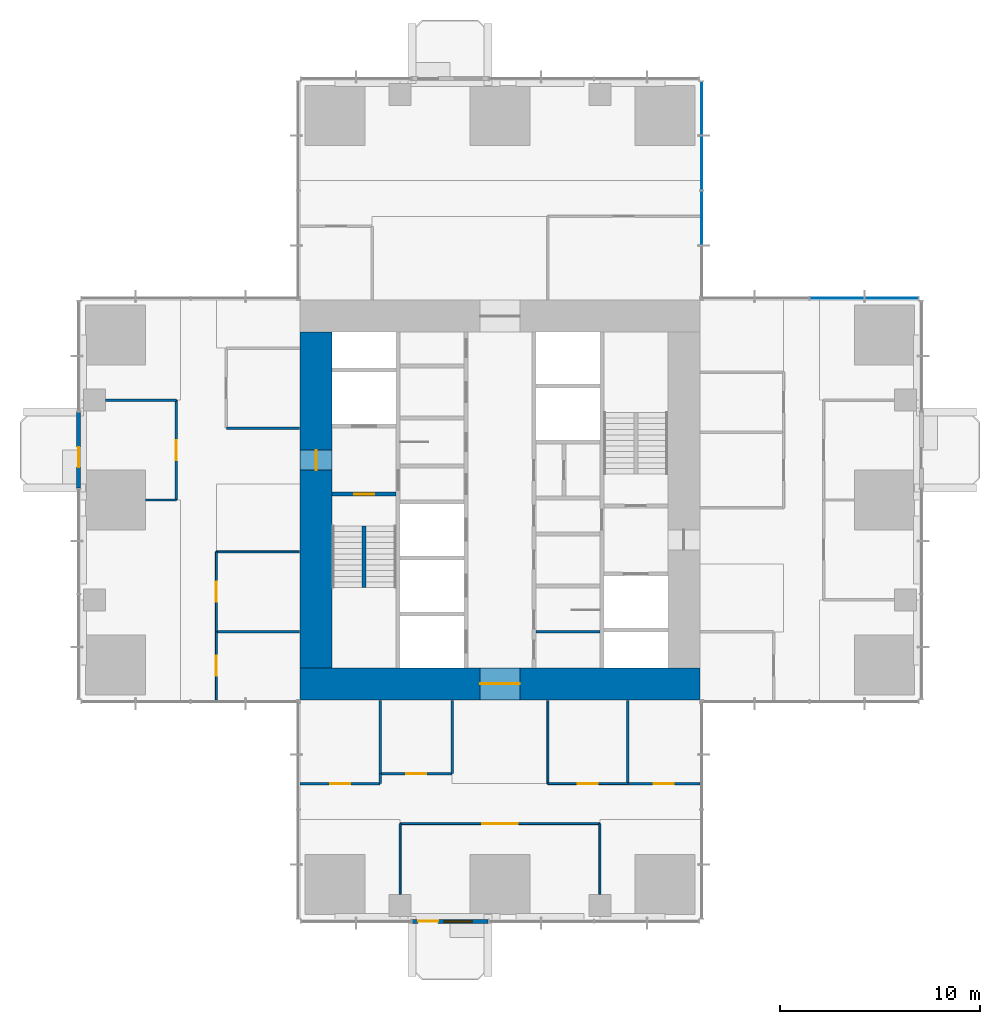
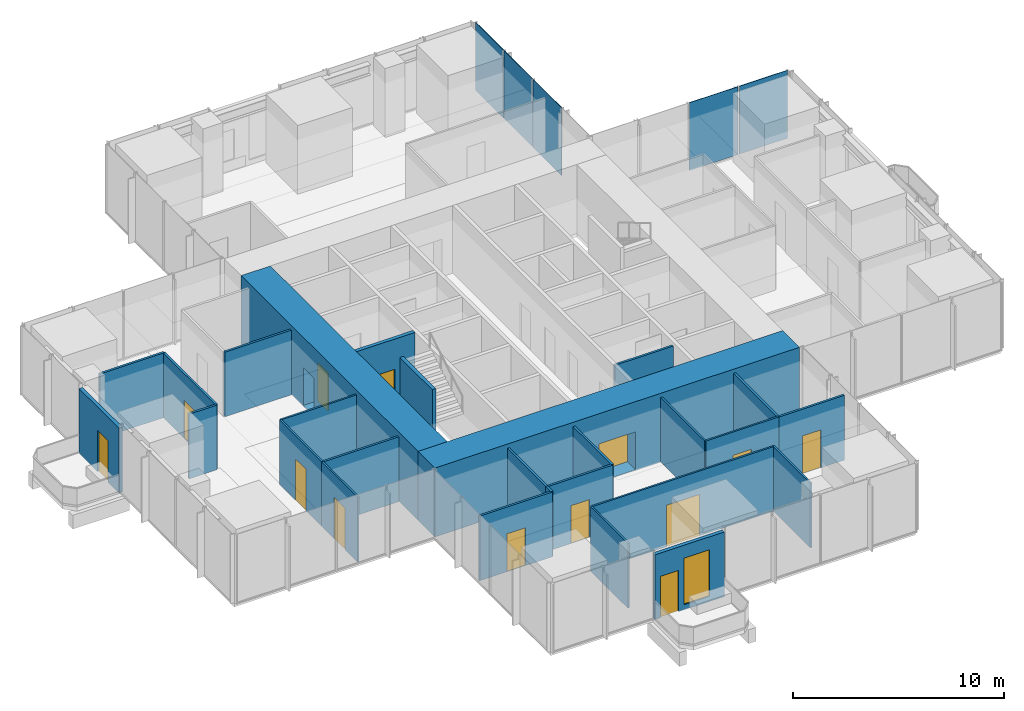
# One storey, part 8 of 13: 27 walls, 13 doors, 5 plates, 1 window, 14 openings, 2 elements without a shape of their own.
"""IFC4 building model written with IfcOpenShell, lengths in metres."""

from ifc_helpers import new_model, si_unit, direction, frame, frame_2d, origin, origin_2d, place, context, subcontext, project, spatial, rectangle, extrude, material, layer, layer_set, type_object, element, fill, aggregate, save


model = new_model("IFC4")

# Units and contexts
model_context = context("Model", 3, precision=1e-05, world=origin(), true_north=direction((0.0, 1.0)))
body_context = subcontext(model_context, "Body", "Model", "MODEL_VIEW")
ifc_project = project(units=[si_unit("LENGTHUNIT", "METRE"), si_unit("AREAUNIT", "SQUARE_METRE"), si_unit("VOLUMEUNIT", "CUBIC_METRE"), si_unit("PLANEANGLEUNIT", "RADIAN"), si_unit("MASSUNIT", "GRAM", prefix="KILO")], contexts=[model_context])

# Site, building, storey
site_placement = place(None, origin())
site = spatial("IfcSite", under=ifc_project, at=site_placement, CompositionType="ELEMENT")
building_placement = place(site_placement, origin())
building = spatial("IfcBuilding", under=site, at=building_placement, Name="Svetlomir Tower", CompositionType="ELEMENT")
storey_placement = place(building_placement, frame((0.0, 0.0, 148.5)))
storey = spatial("IfcBuildingStorey", under=building, at=storey_placement, Name="L35", CompositionType="ELEMENT", Elevation=148.5)

# Curtain wall, plates
ifc_material_1 = material(Name="Bronze anodised aluminium curtain wall", Category="aluminium")
curtain_wall_type = type_object("IfcCurtainWallType", Name="CURTAIN WALL CW1 TOWER OFFICE", PredefinedType="NOTDEFINED", material=ifc_material_1)
curtain_wall_1_placement = place(storey_placement, origin())
curtain_wall_1 = element("IfcCurtainWall", 1, at=curtain_wall_1_placement, inside=storey, type_object=curtain_wall_type, Name="Curtain wall CW1 L35", PredefinedType="NOTDEFINED")
ifc_material_2 = material(Name="Tinted double glazed unit", Category="glass")
ifc_layer_1 = layer(ifc_material_2, 0.031982421875)
ifc_layer_set_1 = layer_set([ifc_layer_1], Name="Tinted double glazed unit")
plate_type = type_object("IfcPlateType", Name="CW1 GLAZED PANEL 32", PredefinedType="CURTAIN_PANEL", material=ifc_layer_set_1)
plate_1_placement = place(storey_placement, frame((40.608642578125, 31.10009765625, 0.06494140625), z_axis=(0.0, 0.0, 1.0), x_axis=(-1.0, 0.0, 0.0)))
plate_1 = element("IfcPlate", 2, at=plate_1_placement, type_object=plate_type, Name="CW1 panel 1.1", PredefinedType="CURTAIN_PANEL", context=body_context, shape_type="SweptSolid", body=[
    extrude(rectangle(XDim=2.652587890625, YDim=0.031982421875, at=origin_2d()), origin(), (0.0, 0.0, 1.0), 3.93505859375),
])
plate_2_placement = place(storey_placement, frame((37.875, 31.10009765625, 0.06494140625), z_axis=(0.0, 0.0, 1.0), x_axis=(-1.0, 0.0, 0.0)))
plate_2 = element("IfcPlate", 3, at=plate_2_placement, type_object=plate_type, Name="CW1 panel 2.1", PredefinedType="CURTAIN_PANEL", context=body_context, shape_type="SweptSolid", body=[
    extrude(rectangle(XDim=2.68505859375, YDim=0.031982421875, at=origin_2d()), origin(), (0.0, 0.0, 1.0), 3.93505859375),
])
aggregate(curtain_wall_1, [plate_1, plate_2])

curtain_wall_2_placement = place(storey_placement, origin())
curtain_wall_2 = element("IfcCurtainWall", 4, at=curtain_wall_2_placement, inside=storey, type_object=curtain_wall_type, Name="Curtain wall CW1 L35", PredefinedType="NOTDEFINED")
plate_3_placement = place(storey_placement, frame((31.10009765625, 35.125, 0.06494140625), z_axis=(0.0, 0.0, 1.0), x_axis=(0.0, 1.0, 0.0)))
plate_3 = element("IfcPlate", 5, at=plate_3_placement, type_object=plate_type, Name="CW1 panel 2.1", PredefinedType="CURTAIN_PANEL", context=body_context, shape_type="SweptSolid", body=[
    extrude(rectangle(XDim=2.68505859375, YDim=0.031982421875, at=origin_2d()), origin(), (0.0, 0.0, 1.0), 3.93505859375),
])
plate_4_placement = place(storey_placement, frame((31.10009765625, 37.875, 0.06494140625), z_axis=(0.0, 0.0, 1.0), x_axis=(0.0, 1.0, 0.0)))
plate_4 = element("IfcPlate", 6, at=plate_4_placement, type_object=plate_type, Name="CW1 panel 3.1", PredefinedType="CURTAIN_PANEL", context=body_context, shape_type="SweptSolid", body=[
    extrude(rectangle(XDim=2.68505859375, YDim=0.031982421875, at=origin_2d()), origin(), (0.0, 0.0, 1.0), 3.93505859375),
])
plate_5_placement = place(storey_placement, frame((31.10009765625, 40.608642578125, 0.06494140625), z_axis=(0.0, 0.0, 1.0), x_axis=(0.0, 1.0, 0.0)))
plate_5 = element("IfcPlate", 7, at=plate_5_placement, type_object=plate_type, Name="CW1 panel 4.1", PredefinedType="CURTAIN_PANEL", context=body_context, shape_type="SweptSolid", body=[
    extrude(rectangle(XDim=2.652587890625, YDim=0.031982421875, at=origin_2d()), origin(), (0.0, 0.0, 1.0), 3.93505859375),
])
aggregate(curtain_wall_2, [plate_3, plate_4, plate_5])

# Wall, openings, door, window
ifc_material_3 = material(Name="Bronze anodised aluminium glazed screen", Category="aluminium")
ifc_layer_2 = layer(ifc_material_3, 0.199951171875)
ifc_layer_set_2 = layer_set([ifc_layer_2], Name="Bronze anodised aluminium glazed screen")
wall_type_1 = type_object("IfcWallType", Name="BALCONY SCREEN WALL 200", PredefinedType="USERDEFINED", material=ifc_layer_set_2)
wall_1_placement = place(storey_placement, frame((16.60009765625, -0.10009765625, 0.0), z_axis=(0.0, 0.0, 1.0), x_axis=(1.0, 0.0, 0.0)))
wall_1 = element("IfcWall", 8, at=wall_1_placement, inside=storey, type_object=wall_type_1, Name="Balcony screen S", ObjectType="GLAZED SCREEN", PredefinedType="USERDEFINED", context=body_context, shape_type="SweptSolid", body=[
    extrude(rectangle(XDim=3.7998046875, YDim=0.199951171875, at=frame_2d((1.89990234375, 0.0))), origin(), (0.0, 0.0, 1.0), 3.75),
])
opening_1_placement = place(wall_1_placement, frame((0.300048828125, 0.0, 0.0)))
opening_1 = element("IfcOpeningElement", 9, at=opening_1_placement, cuts=wall_1, Name="Opening BD", PredefinedType="OPENING", context=body_context, shape_type="SweptSolid", body=[
    extrude(rectangle(XDim=1.0, YDim=2.39990234375, at=frame_2d((0.5, 1.199951171875))), frame((0.0, 0.10986328125, 0.0), z_axis=(0.0, -1.0, 0.0), x_axis=(1.0, 0.0, 0.0)), (0.0, 0.0, 1.0), 0.219970703125),
])
opening_2_placement = place(wall_1_placement, frame((1.60009765625, 0.0, 0.300048828125)))
opening_2 = element("IfcOpeningElement", 10, at=opening_2_placement, cuts=wall_1, Name="Opening WS2", PredefinedType="OPENING", context=body_context, shape_type="SweptSolid", body=[
    extrude(rectangle(XDim=1.39990234375, YDim=2.699951171875, at=frame_2d((0.699951171875, 1.35009765625))), frame((0.0, 0.10986328125, 0.0), z_axis=(0.0, -1.0, 0.0), x_axis=(1.0, 0.0, 0.0)), (0.0, 0.0, 1.0), 0.219970703125),
])
ifc_material_4 = material(Name="Bronze anodised aluminium glazed door", Category="aluminium")
door_type_1 = type_object("IfcDoorType", Name="BALCONY DOOR BD 1000x2400", OperationType="SINGLE_SWING_LEFT", PredefinedType="DOOR", material=ifc_material_4)
door_1_placement = place(opening_1_placement, origin())
door_1 = element("IfcDoor", 11, at=door_1_placement, inside=storey, type_object=door_type_1, Name="Balcony screen S door", OperationType="SINGLE_SWING_LEFT", OverallHeight=2.39990234375, OverallWidth=1.0, PredefinedType="DOOR", context=body_context, shape_type="SweptSolid", body=[
    extrude(rectangle(XDim=1.0, YDim=2.39990234375, at=frame_2d((0.5, 1.199951171875))), frame((0.0, 0.02490234375, 0.0), z_axis=(0.0, -1.0, 0.0), x_axis=(1.0, 0.0, 0.0)), (0.0, 0.0, 1.0), 0.050048828125),
])
fill(opening_1, door_1)
ifc_material_5 = material(Name="Bronze anodised aluminium window", Category="aluminium")
window_type = type_object("IfcWindowType", Name="SCREEN WINDOW WS2 1400x2700", PartitioningType="SINGLE_PANEL", PredefinedType="WINDOW", material=ifc_material_5)
window_placement = place(opening_2_placement, origin())
window = element("IfcWindow", 12, at=window_placement, inside=storey, type_object=window_type, Name="Balcony screen S window 1", OverallHeight=2.699951171875, OverallWidth=1.39990234375, PartitioningType="SINGLE_PANEL", PredefinedType="WINDOW", context=body_context, shape_type="SweptSolid", body=[
    extrude(rectangle(XDim=1.39990234375, YDim=2.699951171875, at=frame_2d((0.699951171875, 1.35009765625))), frame((0.0, 0.030029296875, 0.0), z_axis=(0.0, -1.0, 0.0), x_axis=(1.0, 0.0, 0.0)), (0.0, 0.0, 1.0), 0.06005859375),
])
fill(opening_2, window)

# Wall, opening, door
wall_2_placement = place(storey_placement, frame((-0.10009765625, 25.39990234375, 0.0), z_axis=(0.0, 0.0, 1.0), x_axis=(0.0, -1.0, 0.0)))
wall_2 = element("IfcWall", 13, at=wall_2_placement, inside=storey, type_object=wall_type_1, Name="Balcony screen W", ObjectType="GLAZED SCREEN", PredefinedType="USERDEFINED", context=body_context, shape_type="SweptSolid", body=[
    extrude(rectangle(XDim=3.7998046875, YDim=0.199951171875, at=frame_2d((1.89990234375, 0.0))), origin(), (0.0, 0.0, 1.0), 3.75),
])
opening_3_placement = place(wall_2_placement, frame((1.75, 0.0, 0.0)))
opening_3 = element("IfcOpeningElement", 14, at=opening_3_placement, cuts=wall_2, Name="Opening BD", PredefinedType="OPENING", context=body_context, shape_type="SweptSolid", body=[
    extrude(rectangle(XDim=1.0, YDim=2.39990234375, at=frame_2d((0.5, 1.199951171875))), frame((0.0, 0.10986328125, 0.0), z_axis=(0.0, -1.0, 0.0), x_axis=(1.0, 0.0, 0.0)), (0.0, 0.0, 1.0), 0.219970703125),
])
door_2_placement = place(opening_3_placement, origin())
door_2 = element("IfcDoor", 15, at=door_2_placement, inside=storey, type_object=door_type_1, Name="Balcony screen W door", OperationType="SINGLE_SWING_LEFT", OverallHeight=2.39990234375, OverallWidth=1.0, PredefinedType="DOOR", context=body_context, shape_type="SweptSolid", body=[
    extrude(rectangle(XDim=1.0, YDim=2.39990234375, at=frame_2d((0.5, 1.199951171875))), frame((0.0, 0.02490234375, 0.0), z_axis=(0.0, -1.0, 0.0), x_axis=(1.0, 0.0, 0.0)), (0.0, 0.0, 1.0), 0.050048828125),
])
fill(opening_3, door_2)

ifc_material_6 = material(Name="Concrete C60/75", Category="concrete")
ifc_layer_3 = layer(ifc_material_6, 0.199951171875)
ifc_layer_set_3 = layer_set([ifc_layer_3], Name="Concrete C60/75")
wall_type_2 = type_object("IfcWallType", Name="CORE INNER WALL 200", PredefinedType="SHEAR", material=ifc_layer_set_3)
wall_3_placement = place(storey_placement, frame((12.60009765625, 21.300048828125, -0.050048828125), z_axis=(0.0, 0.0, 1.0), x_axis=(1.0, 0.0, 0.0)))
wall_3 = element("IfcWall", 16, at=wall_3_placement, inside=storey, type_object=wall_type_2, Name="Core inner wall 12.6-15.8/21.3 L35", PredefinedType="SHEAR", context=body_context, shape_type="SweptSolid", body=[
    extrude(rectangle(XDim=3.199951171875, YDim=0.199951171875, at=frame_2d((1.60009765625, 0.0))), origin(), (0.0, 0.0, 1.0), 4.0),
])
opening_4_placement = place(wall_3_placement, frame((1.10009765625, 0.0, 0.050048828125)))
opening_4 = element("IfcOpeningElement", 17, at=opening_4_placement, cuts=wall_3, Name="Opening DF", PredefinedType="OPENING", context=body_context, shape_type="SweptSolid", body=[
    extrude(rectangle(XDim=1.0, YDim=2.199951171875, at=frame_2d((0.5, 1.10009765625))), frame((0.0, 0.10986328125, 0.0), z_axis=(0.0, -1.0, 0.0), x_axis=(1.0, 0.0, 0.0)), (0.0, 0.0, 1.0), 0.219970703125),
])
ifc_material_7 = material(Name="Steel fire door", Category="steel")
door_type_2 = type_object("IfcDoorType", Name="DOOR DF 1000x2200", OperationType="SINGLE_SWING_LEFT", PredefinedType="DOOR", material=ifc_material_7)
door_3_placement = place(opening_4_placement, origin())
door_3 = element("IfcDoor", 18, at=door_3_placement, inside=storey, type_object=door_type_2, Name="Stair S1 door L35", OperationType="SINGLE_SWING_RIGHT", OverallHeight=2.199951171875, OverallWidth=1.0, PredefinedType="DOOR", context=body_context, shape_type="SweptSolid", body=[
    extrude(rectangle(XDim=1.0, YDim=2.199951171875, at=frame_2d((0.5, 1.10009765625))), frame((0.0, 0.02490234375, 0.0), z_axis=(0.0, -1.0, 0.0), x_axis=(1.0, 0.0, 0.0)), (0.0, 0.0, 1.0), 0.050048828125),
])
fill(opening_4, door_3)

ifc_material_8 = material(Name="Concrete C60/75", Category="concrete")
ifc_layer_4 = layer(ifc_material_8, 1.60009765625)
ifc_layer_set_4 = layer_set([ifc_layer_4], Name="Concrete C60/75")
wall_type_3 = type_object("IfcWallType", Name="CORE WALL 1600", PredefinedType="SHEAR", material=ifc_layer_set_4)
wall_4_placement = place(storey_placement, frame((11.0, 11.800048828125, -0.050048828125), z_axis=(0.0, 0.0, 1.0), x_axis=(1.0, 0.0, 0.0)))
wall_4 = element("IfcWall", 19, at=wall_4_placement, inside=storey, type_object=wall_type_3, Name="Core wall south L35", PredefinedType="SHEAR", context=body_context, shape_type="SweptSolid", body=[
    extrude(rectangle(XDim=20.0, YDim=1.60009765625, at=frame_2d((10.0, 0.0))), origin(), (0.0, 0.0, 1.0), 4.0),
])
opening_5_placement = place(wall_4_placement, frame((9.0, 0.0, 0.050048828125)))
opening_5 = element("IfcOpeningElement", 20, at=opening_5_placement, cuts=wall_4, Name="Opening DL", PredefinedType="OPENING", context=body_context, shape_type="SweptSolid", body=[
    extrude(rectangle(XDim=2.0, YDim=2.199951171875, at=frame_2d((1.0, 1.10009765625))), frame((0.0, 0.81005859375, 0.0), z_axis=(0.0, -1.0, 0.0), x_axis=(1.0, 0.0, 0.0)), (0.0, 0.0, 1.0), 1.6201171875),
])
ifc_material_9 = material(Name="Steel fire door", Category="steel")
door_type_3 = type_object("IfcDoorType", Name="DOOR DL 2000x2200", OperationType="DOUBLE_DOOR_SINGLE_SWING", PredefinedType="DOOR", material=ifc_material_9)
door_4_placement = place(opening_5_placement, origin())
door_4 = element("IfcDoor", 21, at=door_4_placement, inside=storey, type_object=door_type_3, Name="Lift lobby south door L35", OperationType="DOUBLE_DOOR_SINGLE_SWING", OverallHeight=2.199951171875, OverallWidth=2.0, PredefinedType="DOOR", context=body_context, shape_type="SweptSolid", body=[
    extrude(rectangle(XDim=2.0, YDim=2.199951171875, at=frame_2d((1.0, 1.10009765625))), frame((0.0, 0.02490234375, 0.0), z_axis=(0.0, -1.0, 0.0), x_axis=(1.0, 0.0, 0.0)), (0.0, 0.0, 1.0), 0.050048828125),
])
fill(opening_5, door_4)

wall_5_placement = place(storey_placement, frame((11.800048828125, 12.60009765625, -0.050048828125), z_axis=(0.0, 0.0, 1.0), x_axis=(0.0, 1.0, 0.0)))
wall_5 = element("IfcWall", 22, at=wall_5_placement, inside=storey, type_object=wall_type_3, Name="Core wall west L35", PredefinedType="SHEAR", context=body_context, shape_type="SweptSolid", body=[
    extrude(rectangle(XDim=16.7998046875, YDim=1.60009765625, at=frame_2d((8.39990234375, 0.0))), origin(), (0.0, 0.0, 1.0), 4.0),
])
opening_6_placement = place(wall_5_placement, frame((9.89990234375, 0.0, 0.050048828125)))
opening_6 = element("IfcOpeningElement", 23, at=opening_6_placement, cuts=wall_5, Name="Opening DF", PredefinedType="OPENING", context=body_context, shape_type="SweptSolid", body=[
    extrude(rectangle(XDim=1.0, YDim=2.199951171875, at=frame_2d((0.5, 1.10009765625))), frame((0.0, 0.81005859375, 0.0), z_axis=(0.0, -1.0, 0.0), x_axis=(1.0, 0.0, 0.0)), (0.0, 0.0, 1.0), 1.6201171875),
])
door_5_placement = place(opening_6_placement, origin())
door_5 = element("IfcDoor", 24, at=door_5_placement, inside=storey, type_object=door_type_2, Name="Firefighting lobby west door L35", OperationType="SINGLE_SWING_RIGHT", OverallHeight=2.199951171875, OverallWidth=1.0, PredefinedType="DOOR", context=body_context, shape_type="SweptSolid", body=[
    extrude(rectangle(XDim=1.0, YDim=2.199951171875, at=frame_2d((0.5, 1.10009765625))), frame((0.0, 0.02490234375, 0.0), z_axis=(0.0, -1.0, 0.0), x_axis=(1.0, 0.0, 0.0)), (0.0, 0.0, 1.0), 0.050048828125),
])
fill(opening_6, door_5)

ifc_material_10 = material(Name="Framed laminated glass partition", Category="glass")
ifc_layer_5 = layer(ifc_material_10, 0.10009765625)
ifc_layer_set_5 = layer_set([ifc_layer_5], Name="Framed laminated glass partition")
wall_type_4 = type_object("IfcWallType", Name="GLAZED PARTITION 100", PredefinedType="PARTITIONING", material=ifc_layer_set_5)
wall_6_placement = place(storey_placement, frame((6.800048828125, 11.0, 0.0), z_axis=(0.0, 0.0, 1.0), x_axis=(0.0, 1.0, 0.0)))
wall_6 = element("IfcWall", 25, at=wall_6_placement, inside=storey, type_object=wall_type_4, Name="Glazed partition L35", PredefinedType="PARTITIONING", context=body_context, shape_type="SweptSolid", body=[
    extrude(rectangle(XDim=3.39990234375, YDim=0.10009765625, at=frame_2d((1.699951171875, 0.0))), origin(), (0.0, 0.0, 1.0), 3.75),
])
opening_7_placement = place(wall_6_placement, frame((1.199951171875, 0.0, 0.0)))
opening_7 = element("IfcOpeningElement", 26, at=opening_7_placement, cuts=wall_6, Name="Opening DG", PredefinedType="OPENING", context=body_context, shape_type="SweptSolid", body=[
    extrude(rectangle(XDim=1.0, YDim=2.39990234375, at=frame_2d((0.5, 1.199951171875))), frame((0.0, 0.06005859375, 0.0), z_axis=(0.0, -1.0, 0.0), x_axis=(1.0, 0.0, 0.0)), (0.0, 0.0, 1.0), 0.1201171875),
])
ifc_material_11 = material(Name="Framed laminated glass door", Category="glass")
door_type_4 = type_object("IfcDoorType", Name="GLAZED DOOR DG 1000x2400", OperationType="SINGLE_SWING_LEFT", PredefinedType="DOOR", material=ifc_material_11)
door_6_placement = place(opening_7_placement, origin())
door_6 = element("IfcDoor", 27, at=door_6_placement, inside=storey, type_object=door_type_4, Name="Model validation room door L35", OperationType="SINGLE_SWING_RIGHT", OverallHeight=2.39990234375, OverallWidth=1.0, PredefinedType="DOOR", context=body_context, shape_type="SweptSolid", body=[
    extrude(rectangle(XDim=1.0, YDim=2.39990234375, at=frame_2d((0.5, 1.199951171875))), frame((0.0, 0.02490234375, 0.0), z_axis=(0.0, -1.0, 0.0), x_axis=(1.0, 0.0, 0.0)), (0.0, 0.0, 1.0), 0.050048828125),
])
fill(opening_7, door_6)

wall_7_placement = place(storey_placement, frame((6.800048828125, 14.39990234375, 0.0), z_axis=(0.0, 0.0, 1.0), x_axis=(0.0, 1.0, 0.0)))
wall_7 = element("IfcWall", 28, at=wall_7_placement, inside=storey, type_object=wall_type_4, Name="Glazed partition L35", PredefinedType="PARTITIONING", context=body_context, shape_type="SweptSolid", body=[
    extrude(rectangle(XDim=4.0, YDim=0.10009765625, at=frame_2d((2.0, 0.0))), origin(), (0.0, 0.0, 1.0), 3.75),
])
opening_8_placement = place(wall_7_placement, frame((1.5, 0.0, 0.0)))
opening_8 = element("IfcOpeningElement", 29, at=opening_8_placement, cuts=wall_7, Name="Opening DG", PredefinedType="OPENING", context=body_context, shape_type="SweptSolid", body=[
    extrude(rectangle(XDim=1.0, YDim=2.39990234375, at=frame_2d((0.5, 1.199951171875))), frame((0.0, 0.06005859375, 0.0), z_axis=(0.0, -1.0, 0.0), x_axis=(1.0, 0.0, 0.0)), (0.0, 0.0, 1.0), 0.1201171875),
])
door_7_placement = place(opening_8_placement, origin())
door_7 = element("IfcDoor", 30, at=door_7_placement, inside=storey, type_object=door_type_4, Name="Focus room 1 door L35", OperationType="SINGLE_SWING_RIGHT", OverallHeight=2.39990234375, OverallWidth=1.0, PredefinedType="DOOR", context=body_context, shape_type="SweptSolid", body=[
    extrude(rectangle(XDim=1.0, YDim=2.39990234375, at=frame_2d((0.5, 1.199951171875))), frame((0.0, 0.02490234375, 0.0), z_axis=(0.0, -1.0, 0.0), x_axis=(1.0, 0.0, 0.0)), (0.0, 0.0, 1.0), 0.050048828125),
])
fill(opening_8, door_7)

# Walls
wall_8_placement = place(storey_placement, frame((6.800048828125, 18.39990234375, 0.0), z_axis=(0.0, 0.0, 1.0), x_axis=(1.0, 0.0, 0.0)))
element("IfcWall", 31, at=wall_8_placement, inside=storey, type_object=wall_type_4, Name="Glazed partition L35", PredefinedType="PARTITIONING", context=body_context, shape_type="SweptSolid", body=[
    extrude(rectangle(XDim=4.14990234375, YDim=0.10009765625, at=frame_2d((2.074951171875, 0.0))), origin(), (0.0, 0.0, 1.0), 3.75),
])
wall_9_placement = place(storey_placement, frame((16.0, 1.260009765625, 0.0), z_axis=(0.0, 0.0, 1.0), x_axis=(0.0, 1.0, 0.0)))
element("IfcWall", 32, at=wall_9_placement, inside=storey, type_object=wall_type_4, Name="Glazed partition L35", PredefinedType="PARTITIONING", context=body_context, shape_type="SweptSolid", body=[
    extrude(rectangle(XDim=3.5400390625, YDim=0.10009765625, at=frame_2d((1.77001953125, 0.0))), origin(), (0.0, 0.0, 1.0), 3.75),
])

# Wall, opening, door
wall_10_placement = place(storey_placement, frame((16.0, 4.800048828125, 0.0), z_axis=(0.0, 0.0, 1.0), x_axis=(1.0, 0.0, 0.0)))
wall_10 = element("IfcWall", 33, at=wall_10_placement, inside=storey, type_object=wall_type_4, Name="Glazed partition L35", PredefinedType="PARTITIONING", context=body_context, shape_type="SweptSolid", body=[
    extrude(rectangle(XDim=10.0, YDim=0.10009765625, at=frame_2d((5.0, 0.0))), origin(), (0.0, 0.0, 1.0), 3.75),
])
opening_9_placement = place(wall_10_placement, frame((4.10009765625, 0.0, 0.0)))
opening_9 = element("IfcOpeningElement", 34, at=opening_9_placement, cuts=wall_10, Name="Opening DD", PredefinedType="OPENING", context=body_context, shape_type="SweptSolid", body=[
    extrude(rectangle(XDim=1.800048828125, YDim=2.39990234375, at=frame_2d((0.89990234375, 1.199951171875))), frame((0.0, 0.06005859375, 0.0), z_axis=(0.0, -1.0, 0.0), x_axis=(1.0, 0.0, 0.0)), (0.0, 0.0, 1.0), 0.1201171875),
])
ifc_material_12 = material(Name="Timber door", Category="wood")
door_type_5 = type_object("IfcDoorType", Name="DOOR DD 1800x2400", OperationType="DOUBLE_DOOR_SINGLE_SWING", PredefinedType="DOOR", material=ifc_material_12)
door_8_placement = place(opening_9_placement, origin())
door_8 = element("IfcDoor", 35, at=door_8_placement, inside=storey, type_object=door_type_5, Name="Investor meeting room, 14 seats door L35", OperationType="DOUBLE_DOOR_SINGLE_SWING", OverallHeight=2.39990234375, OverallWidth=1.800048828125, PredefinedType="DOOR", context=body_context, shape_type="SweptSolid", body=[
    extrude(rectangle(XDim=1.800048828125, YDim=2.39990234375, at=frame_2d((0.89990234375, 1.199951171875))), frame((0.0, 0.02490234375, 0.0), z_axis=(0.0, -1.0, 0.0), x_axis=(1.0, 0.0, 0.0)), (0.0, 0.0, 1.0), 0.050048828125),
])
fill(opening_9, door_8)

# Wall
wall_11_placement = place(storey_placement, frame((23.39990234375, 6.800048828125, 0.0), z_axis=(0.0, 0.0, 1.0), x_axis=(0.0, 1.0, 0.0)))
element("IfcWall", 36, at=wall_11_placement, inside=storey, type_object=wall_type_4, Name="Glazed partition L35", PredefinedType="PARTITIONING", context=body_context, shape_type="SweptSolid", body=[
    extrude(rectangle(XDim=4.14990234375, YDim=0.10009765625, at=frame_2d((2.074951171875, 0.0))), origin(), (0.0, 0.0, 1.0), 3.75),
])

# Wall, opening, door
wall_12_placement = place(storey_placement, frame((23.39990234375, 6.800048828125, 0.0), z_axis=(0.0, 0.0, 1.0), x_axis=(1.0, 0.0, 0.0)))
wall_12 = element("IfcWall", 37, at=wall_12_placement, inside=storey, type_object=wall_type_4, Name="Glazed partition L35", PredefinedType="PARTITIONING", context=body_context, shape_type="SweptSolid", body=[
    extrude(rectangle(XDim=4.0, YDim=0.10009765625, at=frame_2d((2.0, 0.0))), origin(), (0.0, 0.0, 1.0), 3.75),
])
opening_10_placement = place(wall_12_placement, frame((1.5, 0.0, 0.0)))
opening_10 = element("IfcOpeningElement", 38, at=opening_10_placement, cuts=wall_12, Name="Opening DG", PredefinedType="OPENING", context=body_context, shape_type="SweptSolid", body=[
    extrude(rectangle(XDim=1.0, YDim=2.39990234375, at=frame_2d((0.5, 1.199951171875))), frame((0.0, 0.06005859375, 0.0), z_axis=(0.0, -1.0, 0.0), x_axis=(1.0, 0.0, 0.0)), (0.0, 0.0, 1.0), 0.1201171875),
])
door_9_placement = place(opening_10_placement, origin())
door_9 = element("IfcDoor", 39, at=door_9_placement, inside=storey, type_object=door_type_4, Name="Analyst call room door L35", OperationType="SINGLE_SWING_LEFT", OverallHeight=2.39990234375, OverallWidth=1.0, PredefinedType="DOOR", context=body_context, shape_type="SweptSolid", body=[
    extrude(rectangle(XDim=1.0, YDim=2.39990234375, at=frame_2d((0.5, 1.199951171875))), frame((0.0, 0.02490234375, 0.0), z_axis=(0.0, -1.0, 0.0), x_axis=(1.0, 0.0, 0.0)), (0.0, 0.0, 1.0), 0.050048828125),
])
fill(opening_10, door_9)

# Walls
wall_13_placement = place(storey_placement, frame((26.0, 1.260009765625, 0.0), z_axis=(0.0, 0.0, 1.0), x_axis=(0.0, 1.0, 0.0)))
element("IfcWall", 40, at=wall_13_placement, inside=storey, type_object=wall_type_4, Name="Glazed partition L35", PredefinedType="PARTITIONING", context=body_context, shape_type="SweptSolid", body=[
    extrude(rectangle(XDim=3.5400390625, YDim=0.10009765625, at=frame_2d((1.77001953125, 0.0))), origin(), (0.0, 0.0, 1.0), 3.75),
])
ifc_material_13 = material(Name="Gypsum board on steel studs", Category="steel")
ifc_layer_6 = layer(ifc_material_13, 0.1201171875)
ifc_layer_set_6 = layer_set([ifc_layer_6], Name="Gypsum board on steel studs")
wall_type_5 = type_object("IfcWallType", Name="PARTITION 120", PredefinedType="PARTITIONING", material=ifc_layer_set_6)
wall_14_placement = place(storey_placement, frame((22.800048828125, 14.39990234375, 0.0), z_axis=(0.0, 0.0, 1.0), x_axis=(1.0, 0.0, 0.0)))
element("IfcWall", 41, at=wall_14_placement, inside=storey, type_object=wall_type_5, Name="Floor store partition L35", PredefinedType="PARTITIONING", context=body_context, shape_type="SweptSolid", body=[
    extrude(rectangle(XDim=3.199951171875, YDim=0.1201171875, at=frame_2d((1.60009765625, 0.0))), origin(), (0.0, 0.0, 1.0), 3.75),
])
wall_15_placement = place(storey_placement, frame((1.260009765625, 26.0, 0.0), z_axis=(0.0, 0.0, 1.0), x_axis=(1.0, 0.0, 0.0)))
element("IfcWall", 42, at=wall_15_placement, inside=storey, type_object=wall_type_5, Name="Partition L35", PredefinedType="PARTITIONING", context=body_context, shape_type="SweptSolid", body=[
    extrude(rectangle(XDim=3.5400390625, YDim=0.1201171875, at=frame_2d((1.77001953125, 0.0))), origin(), (0.0, 0.0, 1.0), 3.75),
])
wall_16_placement = place(storey_placement, frame((3.260009765625, 21.0, 0.0), z_axis=(0.0, 0.0, 1.0), x_axis=(1.0, 0.0, 0.0)))
element("IfcWall", 43, at=wall_16_placement, inside=storey, type_object=wall_type_5, Name="Partition L35", PredefinedType="PARTITIONING", context=body_context, shape_type="SweptSolid", body=[
    extrude(rectangle(XDim=1.5400390625, YDim=0.1201171875, at=frame_2d((0.77001953125, 0.0))), origin(), (0.0, 0.0, 1.0), 3.75),
])

# Wall, opening, door
wall_17_placement = place(storey_placement, frame((4.800048828125, 21.0, 0.0), z_axis=(0.0, 0.0, 1.0), x_axis=(0.0, 1.0, 0.0)))
wall_17 = element("IfcWall", 44, at=wall_17_placement, inside=storey, type_object=wall_type_5, Name="Partition L35", PredefinedType="PARTITIONING", context=body_context, shape_type="SweptSolid", body=[
    extrude(rectangle(XDim=5.0, YDim=0.1201171875, at=frame_2d((2.5, 0.0))), origin(), (0.0, 0.0, 1.0), 3.75),
])
opening_11_placement = place(wall_17_placement, frame((2.0, 0.0, 0.0)))
opening_11 = element("IfcOpeningElement", 45, at=opening_11_placement, cuts=wall_17, Name="Opening DR", PredefinedType="OPENING", context=body_context, shape_type="SweptSolid", body=[
    extrude(rectangle(XDim=1.0, YDim=2.199951171875, at=frame_2d((0.5, 1.10009765625))), frame((0.0, 0.070068359375, 0.0), z_axis=(0.0, -1.0, 0.0), x_axis=(1.0, 0.0, 0.0)), (0.0, 0.0, 1.0), 0.14013671875),
])
ifc_material_14 = material(Name="Timber door, glazed side light", Category="wood")
door_type_6 = type_object("IfcDoorType", Name="DOOR DR 1000x2200", OperationType="SINGLE_SWING_LEFT", PredefinedType="DOOR", material=ifc_material_14)
door_10_placement = place(opening_11_placement, origin())
door_10 = element("IfcDoor", 46, at=door_10_placement, inside=storey, type_object=door_type_6, Name="Chief risk officer office door L35", OperationType="SINGLE_SWING_LEFT", OverallHeight=2.199951171875, OverallWidth=1.0, PredefinedType="DOOR", context=body_context, shape_type="SweptSolid", body=[
    extrude(rectangle(XDim=1.0, YDim=2.199951171875, at=frame_2d((0.5, 1.10009765625))), frame((0.0, 0.02490234375, 0.0), z_axis=(0.0, -1.0, 0.0), x_axis=(1.0, 0.0, 0.0)), (0.0, 0.0, 1.0), 0.050048828125),
])
fill(opening_11, door_10)

# Walls
wall_18_placement = place(storey_placement, frame((6.800048828125, 14.39990234375, 0.0), z_axis=(0.0, 0.0, 1.0), x_axis=(1.0, 0.0, 0.0)))
element("IfcWall", 47, at=wall_18_placement, inside=storey, type_object=wall_type_5, Name="Partition L35", PredefinedType="PARTITIONING", context=body_context, shape_type="SweptSolid", body=[
    extrude(rectangle(XDim=4.14990234375, YDim=0.1201171875, at=frame_2d((2.074951171875, 0.0))), origin(), (0.0, 0.0, 1.0), 3.75),
])
wall_19_placement = place(storey_placement, frame((7.300048828125, 24.60009765625, 0.0), z_axis=(0.0, 0.0, 1.0), x_axis=(1.0, 0.0, 0.0)))
element("IfcWall", 48, at=wall_19_placement, inside=storey, type_object=wall_type_5, Name="Partition L35", PredefinedType="PARTITIONING", context=body_context, shape_type="SweptSolid", body=[
    extrude(rectangle(XDim=3.64990234375, YDim=0.1201171875, at=frame_2d((1.824951171875, 0.0))), origin(), (0.0, 0.0, 1.0), 3.75),
])

# Wall, opening, door
wall_20_placement = place(storey_placement, frame((11.0, 6.800048828125, 0.0), z_axis=(0.0, 0.0, 1.0), x_axis=(1.0, 0.0, 0.0)))
wall_20 = element("IfcWall", 49, at=wall_20_placement, inside=storey, type_object=wall_type_5, Name="Partition L35", PredefinedType="PARTITIONING", context=body_context, shape_type="SweptSolid", body=[
    extrude(rectangle(XDim=4.0, YDim=0.1201171875, at=frame_2d((2.0, 0.0))), origin(), (0.0, 0.0, 1.0), 3.75),
])
opening_12_placement = place(wall_20_placement, frame((1.5, 0.0, 0.0)))
opening_12 = element("IfcOpeningElement", 50, at=opening_12_placement, cuts=wall_20, Name="Opening DR", PredefinedType="OPENING", context=body_context, shape_type="SweptSolid", body=[
    extrude(rectangle(XDim=1.0, YDim=2.199951171875, at=frame_2d((0.5, 1.10009765625))), frame((0.0, 0.070068359375, 0.0), z_axis=(0.0, -1.0, 0.0), x_axis=(1.0, 0.0, 0.0)), (0.0, 0.0, 1.0), 0.14013671875),
])
door_11_placement = place(opening_12_placement, origin())
door_11 = element("IfcDoor", 51, at=door_11_placement, inside=storey, type_object=door_type_6, Name="Broadcast studio door L35", OperationType="SINGLE_SWING_RIGHT", OverallHeight=2.199951171875, OverallWidth=1.0, PredefinedType="DOOR", context=body_context, shape_type="SweptSolid", body=[
    extrude(rectangle(XDim=1.0, YDim=2.199951171875, at=frame_2d((0.5, 1.10009765625))), frame((0.0, 0.02490234375, 0.0), z_axis=(0.0, -1.0, 0.0), x_axis=(1.0, 0.0, 0.0)), (0.0, 0.0, 1.0), 0.050048828125),
])
fill(opening_12, door_11)

# Walls
wall_21_placement = place(storey_placement, frame((15.0, 6.800048828125, 0.0), z_axis=(0.0, 0.0, 1.0), x_axis=(0.0, 1.0, 0.0)))
element("IfcWall", 52, at=wall_21_placement, inside=storey, type_object=wall_type_5, Name="Partition L35", PredefinedType="PARTITIONING", context=body_context, shape_type="SweptSolid", body=[
    extrude(rectangle(XDim=0.5, YDim=0.1201171875, at=frame_2d((0.25, 0.0))), origin(), (0.0, 0.0, 1.0), 3.75),
])
wall_22_placement = place(storey_placement, frame((15.0, 7.300048828125, 0.0), z_axis=(0.0, 0.0, 1.0), x_axis=(0.0, 1.0, 0.0)))
element("IfcWall", 53, at=wall_22_placement, inside=storey, type_object=wall_type_5, Name="Partition L35", PredefinedType="PARTITIONING", context=body_context, shape_type="SweptSolid", body=[
    extrude(rectangle(XDim=3.64990234375, YDim=0.1201171875, at=frame_2d((1.824951171875, 0.0))), origin(), (0.0, 0.0, 1.0), 3.75),
])

# Wall, opening, door
wall_23_placement = place(storey_placement, frame((15.0, 7.300048828125, 0.0), z_axis=(0.0, 0.0, 1.0), x_axis=(1.0, 0.0, 0.0)))
wall_23 = element("IfcWall", 54, at=wall_23_placement, inside=storey, type_object=wall_type_5, Name="Partition L35", PredefinedType="PARTITIONING", context=body_context, shape_type="SweptSolid", body=[
    extrude(rectangle(XDim=3.60009765625, YDim=0.1201171875, at=frame_2d((1.800048828125, 0.0))), origin(), (0.0, 0.0, 1.0), 3.75),
])
opening_13_placement = place(wall_23_placement, frame((1.300048828125, 0.0, 0.0)))
opening_13 = element("IfcOpeningElement", 55, at=opening_13_placement, cuts=wall_23, Name="Opening DR", PredefinedType="OPENING", context=body_context, shape_type="SweptSolid", body=[
    extrude(rectangle(XDim=1.0, YDim=2.199951171875, at=frame_2d((0.5, 1.10009765625))), frame((0.0, 0.070068359375, 0.0), z_axis=(0.0, -1.0, 0.0), x_axis=(1.0, 0.0, 0.0)), (0.0, 0.0, 1.0), 0.14013671875),
])
door_12_placement = place(opening_13_placement, origin())
door_12 = element("IfcDoor", 56, at=door_12_placement, inside=storey, type_object=door_type_6, Name="Studio control room door L35", OperationType="SINGLE_SWING_RIGHT", OverallHeight=2.199951171875, OverallWidth=1.0, PredefinedType="DOOR", context=body_context, shape_type="SweptSolid", body=[
    extrude(rectangle(XDim=1.0, YDim=2.199951171875, at=frame_2d((0.5, 1.10009765625))), frame((0.0, 0.02490234375, 0.0), z_axis=(0.0, -1.0, 0.0), x_axis=(1.0, 0.0, 0.0)), (0.0, 0.0, 1.0), 0.050048828125),
])
fill(opening_13, door_12)

# Walls
wall_24_placement = place(storey_placement, frame((18.60009765625, 7.300048828125, 0.0), z_axis=(0.0, 0.0, 1.0), x_axis=(0.0, 1.0, 0.0)))
element("IfcWall", 57, at=wall_24_placement, inside=storey, type_object=wall_type_5, Name="Partition L35", PredefinedType="PARTITIONING", context=body_context, shape_type="SweptSolid", body=[
    extrude(rectangle(XDim=3.64990234375, YDim=0.1201171875, at=frame_2d((1.824951171875, 0.0))), origin(), (0.0, 0.0, 1.0), 3.75),
])
wall_25_placement = place(storey_placement, frame((27.39990234375, 6.800048828125, 0.0), z_axis=(0.0, 0.0, 1.0), x_axis=(0.0, 1.0, 0.0)))
element("IfcWall", 58, at=wall_25_placement, inside=storey, type_object=wall_type_5, Name="Partition L35", PredefinedType="PARTITIONING", context=body_context, shape_type="SweptSolid", body=[
    extrude(rectangle(XDim=4.14990234375, YDim=0.1201171875, at=frame_2d((2.074951171875, 0.0))), origin(), (0.0, 0.0, 1.0), 3.75),
])

# Wall, opening, door
wall_26_placement = place(storey_placement, frame((27.39990234375, 6.800048828125, 0.0), z_axis=(0.0, 0.0, 1.0), x_axis=(1.0, 0.0, 0.0)))
wall_26 = element("IfcWall", 59, at=wall_26_placement, inside=storey, type_object=wall_type_5, Name="Partition L35", PredefinedType="PARTITIONING", context=body_context, shape_type="SweptSolid", body=[
    extrude(rectangle(XDim=3.60009765625, YDim=0.1201171875, at=frame_2d((1.800048828125, 0.0))), origin(), (0.0, 0.0, 1.0), 3.75),
])
opening_14_placement = place(wall_26_placement, frame((1.300048828125, 0.0, 0.0)))
opening_14 = element("IfcOpeningElement", 60, at=opening_14_placement, cuts=wall_26, Name="Opening DR", PredefinedType="OPENING", context=body_context, shape_type="SweptSolid", body=[
    extrude(rectangle(XDim=1.0, YDim=2.199951171875, at=frame_2d((0.5, 1.10009765625))), frame((0.0, 0.070068359375, 0.0), z_axis=(0.0, -1.0, 0.0), x_axis=(1.0, 0.0, 0.0)), (0.0, 0.0, 1.0), 0.14013671875),
])
door_13_placement = place(opening_14_placement, origin())
door_13 = element("IfcDoor", 61, at=door_13_placement, inside=storey, type_object=door_type_6, Name="Investor relations office door L35", OperationType="SINGLE_SWING_LEFT", OverallHeight=2.199951171875, OverallWidth=1.0, PredefinedType="DOOR", context=body_context, shape_type="SweptSolid", body=[
    extrude(rectangle(XDim=1.0, YDim=2.199951171875, at=frame_2d((0.5, 1.10009765625))), frame((0.0, 0.02490234375, 0.0), z_axis=(0.0, -1.0, 0.0), x_axis=(1.0, 0.0, 0.0)), (0.0, 0.0, 1.0), 0.050048828125),
])
fill(opening_14, door_13)

# Wall
ifc_material_15 = material(Name="Concrete C60/75", Category="concrete")
ifc_layer_7 = layer(ifc_material_15, 0.199951171875)
ifc_layer_set_7 = layer_set([ifc_layer_7], Name="Concrete C60/75")
wall_type_6 = type_object("IfcWallType", Name="STAIR SPINE WALL 200", PredefinedType="PARTITIONING", material=ifc_layer_set_7)
wall_27_placement = place(storey_placement, frame((14.199951171875, 16.6201171875, 0.0), z_axis=(0.0, 0.0, 1.0), x_axis=(0.0, 1.0, 0.0)))
element("IfcWall", 62, at=wall_27_placement, inside=storey, type_object=wall_type_6, Name="Stair S1 spine wall L35", PredefinedType="PARTITIONING", context=body_context, shape_type="SweptSolid", body=[
    extrude(rectangle(XDim=3.079833984375, YDim=0.199951171875, at=frame_2d((1.5400390625, 0.0))), origin(), (0.0, 0.0, 1.0), 4.0),
])

save(model, "model.ifc")
